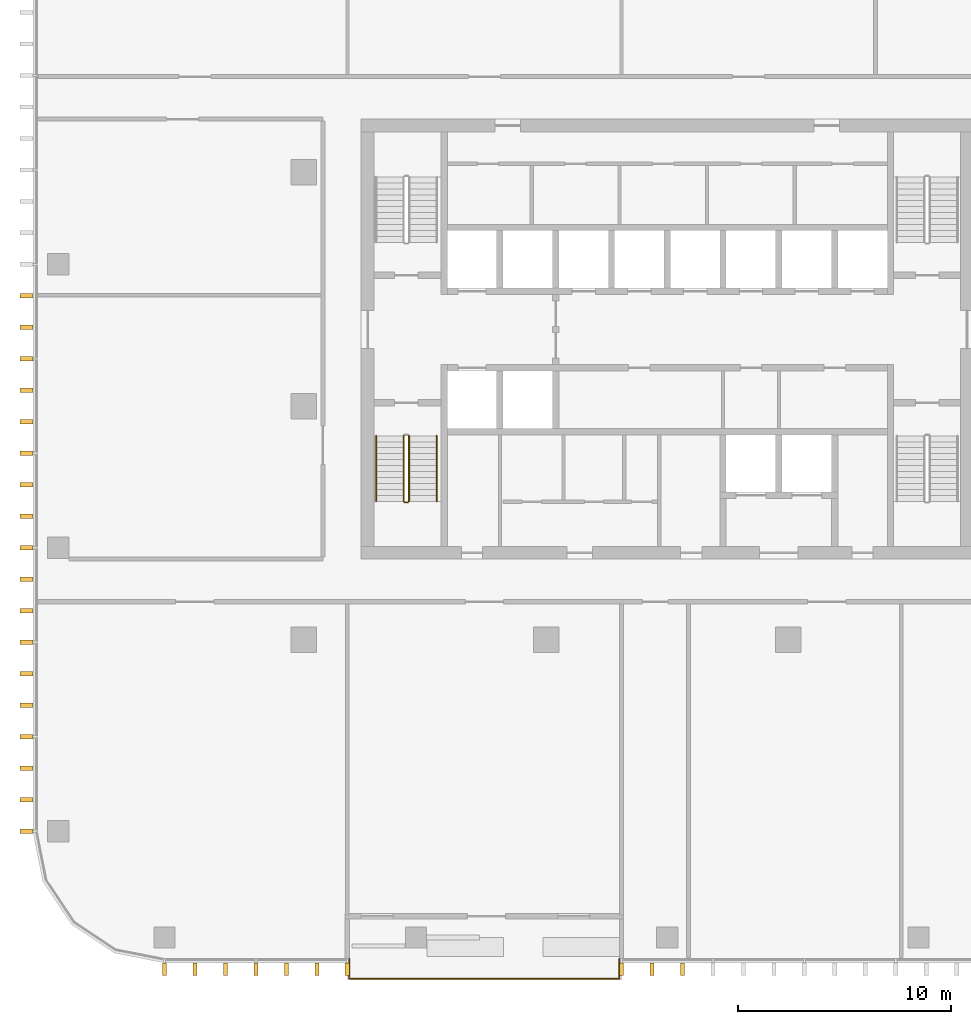
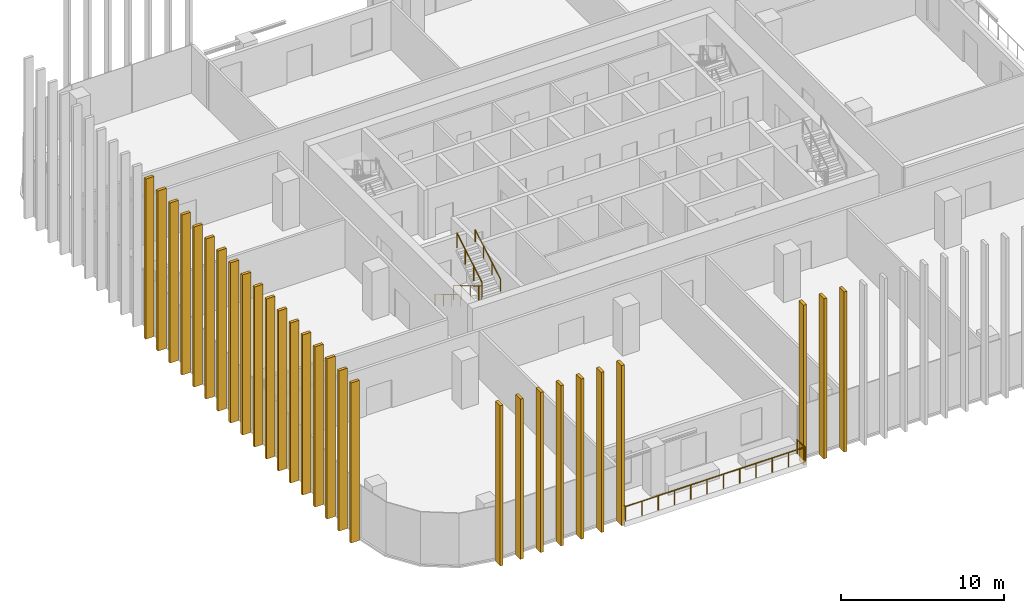
# One storey, part 11 of 16: 28 shading devices, 5 railings.
"""IFC4 building model written with IfcOpenShell, lengths in metres."""

from ifc_helpers import new_model, si_unit, direction, frame, origin, origin_2d, place, context, subcontext, project, spatial, rectangle, circle, extrude, material, type_object, element, save


model = new_model("IFC4")

# Units and contexts
model_context = context("Model", 3, precision=1e-05, world=origin(), true_north=direction((0.0, 1.0)))
body_context = subcontext(model_context, "Body", "Model", "MODEL_VIEW")
ifc_project = project(units=[si_unit("LENGTHUNIT", "METRE"), si_unit("AREAUNIT", "SQUARE_METRE"), si_unit("VOLUMEUNIT", "CUBIC_METRE"), si_unit("PLANEANGLEUNIT", "RADIAN"), si_unit("MASSUNIT", "GRAM", prefix="KILO")], contexts=[model_context])

# Site, building, storey
site_placement = place(None, origin())
site = spatial("IfcSite", under=ifc_project, at=site_placement, CompositionType="ELEMENT")
building_placement = place(site_placement, origin())
building = spatial("IfcBuilding", under=site, at=building_placement, Name="Mopane Tessera Tower", CompositionType="ELEMENT")
storey_placement = place(building_placement, frame((0.0, 0.0, 291.39990234375)))
storey = spatial("IfcBuildingStorey", under=building, at=storey_placement, Name="L63", CompositionType="ELEMENT", Elevation=291.39990234375)

# Shading devices
ifc_material_1 = material(Name="Glazed ceramic tile")
shading_device_type = type_object("IfcShadingDeviceType", Name="Ceramic tile fin 600 x 200 mm", PredefinedType="USERDEFINED", material=ifc_material_1)
for number, where, z_axis, x_axis, name in (
    (1, (-23.64990234375, -26.5, -0.39990234375), (0.0, 0.0, 1.0), (1.0, 0.0, 0.0), "e:fin:L63:S:0:0"),
    (2, (-22.216552734375, -26.5, -0.39990234375), (0.0, 0.0, 1.0), (1.0, 0.0, 0.0), "e:fin:L63:S:0:1"),
    (3, (-20.783447265625, -26.5, -0.39990234375), (0.0, 0.0, 1.0), (1.0, 0.0, 0.0), "e:fin:L63:S:0:2"),
    (4, (-19.35009765625, -26.5, -0.39990234375), (0.0, 0.0, 1.0), (1.0, 0.0, 0.0), "e:fin:L63:S:1:0"),
    (5, (-17.916748046875, -26.5, -0.39990234375), (0.0, 0.0, 1.0), (1.0, 0.0, 0.0), "e:fin:L63:S:1:1"),
    (6, (-16.4833984375, -26.5, -0.39990234375), (0.0, 0.0, 1.0), (1.0, 0.0, 0.0), "e:fin:L63:S:1:2"),
    (7, (-15.050048828125, -26.5, -0.39990234375), (0.0, 0.0, 1.0), (1.0, 0.0, 0.0), "e:fin:L63:S:1:3"),
    (8, (-2.14990234375, -26.5, -0.39990234375), (0.0, 0.0, 1.0), (1.0, 0.0, 0.0), "e:fin:L63:S:5:0"),
    (9, (-0.716552734375, -26.5, -0.39990234375), (0.0, 0.0, 1.0), (1.0, 0.0, 0.0), "e:fin:L63:S:5:1"),
    (10, (0.716552734375, -26.5, -0.39990234375), (0.0, 0.0, 1.0), (1.0, 0.0, 0.0), "e:fin:L63:S:5:2"),
    (11, (-30.14990234375, 5.185302734375, -0.39990234375), (0.0, 0.0, 1.0), (0.0, -1.0, 0.0), "e:fin:L63:W:3:1"),
    (12, (-30.14990234375, 3.70361328125, -0.39990234375), (0.0, 0.0, 1.0), (0.0, -1.0, 0.0), "e:fin:L63:W:3:2"),
    (13, (-30.14990234375, 2.22216796875, -0.39990234375), (0.0, 0.0, 1.0), (0.0, -1.0, 0.0), "e:fin:L63:W:4:0"),
    (14, (-30.14990234375, 0.74072265625, -0.39990234375), (0.0, 0.0, 1.0), (0.0, -1.0, 0.0), "e:fin:L63:W:4:1"),
    (15, (-30.14990234375, -0.74072265625, -0.39990234375), (0.0, 0.0, 1.0), (0.0, -1.0, 0.0), "e:fin:L63:W:4:2"),
    (16, (-30.14990234375, -2.22216796875, -0.39990234375), (0.0, 0.0, 1.0), (0.0, -1.0, 0.0), "e:fin:L63:W:5:0"),
    (17, (-30.14990234375, -3.70361328125, -0.39990234375), (0.0, 0.0, 1.0), (0.0, -1.0, 0.0), "e:fin:L63:W:5:1"),
    (18, (-30.14990234375, -5.185302734375, -0.39990234375), (0.0, 0.0, 1.0), (0.0, -1.0, 0.0), "e:fin:L63:W:5:2"),
    (19, (-30.14990234375, -6.666748046875, -0.39990234375), (0.0, 0.0, 1.0), (0.0, -1.0, 0.0), "e:fin:L63:W:6:0"),
    (20, (-30.14990234375, -8.148193359375, -0.39990234375), (0.0, 0.0, 1.0), (0.0, -1.0, 0.0), "e:fin:L63:W:6:1"),
    (21, (-30.14990234375, -9.629638671875, -0.39990234375), (0.0, 0.0, 1.0), (0.0, -1.0, 0.0), "e:fin:L63:W:6:2"),
    (22, (-30.14990234375, -11.111083984375, -0.39990234375), (0.0, 0.0, 1.0), (0.0, -1.0, 0.0), "e:fin:L63:W:7:0"),
    (23, (-30.14990234375, -12.592529296875, -0.39990234375), (0.0, 0.0, 1.0), (0.0, -1.0, 0.0), "e:fin:L63:W:7:1"),
    (24, (-30.14990234375, -14.073974609375, -0.39990234375), (0.0, 0.0, 1.0), (0.0, -1.0, 0.0), "e:fin:L63:W:7:2"),
    (25, (-30.14990234375, -15.5556640625, -0.39990234375), (0.0, 0.0, 1.0), (0.0, -1.0, 0.0), "e:fin:L63:W:8:0"),
    (26, (-30.14990234375, -17.037109375, -0.39990234375), (0.0, 0.0, 1.0), (0.0, -1.0, 0.0), "e:fin:L63:W:8:1"),
    (27, (-30.14990234375, -18.5185546875, -0.39990234375), (0.0, 0.0, 1.0), (0.0, -1.0, 0.0), "e:fin:L63:W:8:2"),
    (28, (-30.14990234375, -20.0, -0.39990234375), (0.0, 0.0, 1.0), (0.0, -1.0, 0.0), "e:fin:L63:W:8:3"),
):
    element("IfcShadingDevice", number, at=place(storey_placement, frame(where, z_axis=z_axis, x_axis=x_axis)), inside=storey, type_object=shading_device_type, Name=name, ObjectType="FIN", PredefinedType="USERDEFINED", context=body_context, shape_type="SweptSolid", body=[
        extrude(rectangle(XDim=0.199951171875, YDim=0.60009765625, at=origin_2d()), origin(), (0.0, 0.0, 1.0), 12.0),
    ])

# Railings
ifc_material_2 = material(Name="Powder-coated steel balustrade", Category="steel")
railing_type_1 = type_object("IfcRailingType", Name="Escape stair guard 1100 mm", PredefinedType="GUARDRAIL", material=ifc_material_2)
railing_1_placement = place(storey_placement, frame((-12.39990234375, -1.39990234375, 0.166748046875)))
element("IfcRailing", 29, at=railing_1_placement, inside=storey, type_object=railing_type_1, Name="L63 ST1 stair guard 1", PredefinedType="GUARDRAIL", context=body_context, shape_type="SweptSolid", body=[
    extrude(circle(Radius=0.02392578125, at=origin_2d()), frame((0.0, 0.0, 1.076171875), z_axis=(0.0, -0.859308565015, 0.511457515432), x_axis=(1.0, 0.0, 0.0)), (0.0, 0.0, 1.0), 3.58447265625),
    extrude(circle(Radius=0.02392578125, at=origin_2d()), frame((0.0, -3.080078125, 2.9091796875), z_axis=(0.705375805398, -0.708833529934, 0.0), x_axis=(0.708833529934, 0.705375805398, 0.0)), (0.0, 0.0, 1.0), 0.070556640625),
    extrude(circle(Radius=0.02392578125, at=origin_2d()), frame((0.0498046875, -3.130126953125, 2.9091796875), z_axis=(1.0, 0.0, 0.0), x_axis=(0.0, 1.0, 0.0)), (0.0, 0.0, 1.0), 0.150146484375),
    extrude(circle(Radius=0.02099609375, at=origin_2d()), origin(), (0.0, 0.0, 1.0), 1.052001953125),
    extrude(circle(Radius=0.02099609375, at=origin_2d()), frame((0.0, -1.026611328125, 0.611083984375)), (0.0, 0.0, 1.0), 1.052001953125),
    extrude(circle(Radius=0.02099609375, at=origin_2d()), frame((0.0, -2.053466796875, 1.22216796875)), (0.0, 0.0, 1.0), 1.052001953125),
    extrude(circle(Radius=0.02099609375, at=origin_2d()), frame((0.0, -3.080078125, 1.833251953125)), (0.0, 0.0, 1.0), 1.052001953125),
    extrude(circle(Radius=0.02099609375, at=origin_2d()), frame((0.0498046875, -3.130126953125, 1.833251953125)), (0.0, 0.0, 1.0), 1.052001953125),
    extrude(circle(Radius=0.02099609375, at=origin_2d()), frame((0.199951171875, -3.130126953125, 1.833251953125)), (0.0, 0.0, 1.0), 1.052001953125),
])
railing_2_placement = place(storey_placement, frame((-12.14990234375, -4.47998046875, 2.166748046875)))
element("IfcRailing", 30, at=railing_2_placement, inside=storey, type_object=railing_type_1, Name="L63 ST1 stair guard 2", PredefinedType="GUARDRAIL", context=body_context, shape_type="SweptSolid", body=[
    extrude(circle(Radius=0.02392578125, at=origin_2d()), frame((0.0, 0.0, 1.076171875), z_axis=(0.0, 0.859308565015, 0.511457515432), x_axis=(-1.0, 0.0, 0.0)), (0.0, 0.0, 1.0), 3.58447265625),
    extrude(circle(Radius=0.02099609375, at=origin_2d()), origin(), (0.0, 0.0, 1.0), 1.052001953125),
    extrude(circle(Radius=0.02099609375, at=origin_2d()), frame((0.0, 1.026611328125, 0.611083984375)), (0.0, 0.0, 1.0), 1.052001953125),
    extrude(circle(Radius=0.02099609375, at=origin_2d()), frame((0.0, 2.053466796875, 1.22216796875)), (0.0, 0.0, 1.0), 1.052001953125),
    extrude(circle(Radius=0.02099609375, at=origin_2d()), frame((0.0, 3.080078125, 1.833251953125)), (0.0, 0.0, 1.0), 1.052001953125),
])
ifc_material_3 = material(Name="Powder-coated steel balustrade", Category="steel")
railing_type_2 = type_object("IfcRailingType", Name="Escape stair handrail 900 mm", PredefinedType="HANDRAIL", material=ifc_material_3)
railing_3_placement = place(storey_placement, frame((-13.699951171875, -1.39990234375, 0.166748046875)))
element("IfcRailing", 31, at=railing_3_placement, inside=storey, type_object=railing_type_2, Name="L63 ST1 stair handrail 1", PredefinedType="HANDRAIL", context=body_context, shape_type="SweptSolid", body=[
    extrude(circle(Radius=0.02392578125, at=origin_2d()), frame((0.0, 0.0, 0.8759765625), z_axis=(0.0, -0.859308565015, 0.511457515432), x_axis=(1.0, 0.0, 0.0)), (0.0, 0.0, 1.0), 3.58447265625),
    extrude(circle(Radius=0.02099609375, at=origin_2d()), origin(), (0.0, 0.0, 1.0), 0.851806640625),
    extrude(circle(Radius=0.02099609375, at=origin_2d()), frame((0.0, -1.026611328125, 0.611083984375)), (0.0, 0.0, 1.0), 0.851806640625),
    extrude(circle(Radius=0.02099609375, at=origin_2d()), frame((0.0, -2.053466796875, 1.22216796875)), (0.0, 0.0, 1.0), 0.851806640625),
    extrude(circle(Radius=0.02099609375, at=origin_2d()), frame((0.0, -3.080078125, 1.833251953125)), (0.0, 0.0, 1.0), 0.851806640625),
])
railing_4_placement = place(storey_placement, frame((-10.85009765625, -4.47998046875, 2.166748046875)))
element("IfcRailing", 32, at=railing_4_placement, inside=storey, type_object=railing_type_2, Name="L63 ST1 stair handrail 2", PredefinedType="HANDRAIL", context=body_context, shape_type="SweptSolid", body=[
    extrude(circle(Radius=0.02392578125, at=origin_2d()), frame((0.0, 0.0, 0.8759765625), z_axis=(0.0, 0.859308565015, 0.511457515432), x_axis=(-1.0, 0.0, 0.0)), (0.0, 0.0, 1.0), 3.58447265625),
    extrude(circle(Radius=0.02099609375, at=origin_2d()), origin(), (0.0, 0.0, 1.0), 0.851806640625),
    extrude(circle(Radius=0.02099609375, at=origin_2d()), frame((0.0, 1.026611328125, 0.611083984375)), (0.0, 0.0, 1.0), 0.851806640625),
    extrude(circle(Radius=0.02099609375, at=origin_2d()), frame((0.0, 2.053466796875, 1.22216796875)), (0.0, 0.0, 1.0), 0.851806640625),
    extrude(circle(Radius=0.02099609375, at=origin_2d()), frame((0.0, 3.080078125, 1.833251953125)), (0.0, 0.0, 1.0), 0.851806640625),
])
ifc_material_4 = material(Name="Stainless steel S316", Category="steel")
railing_type_3 = type_object("IfcRailingType", Name="Terrace guard 1100", PredefinedType="GUARDRAIL", material=ifc_material_4)
railing_5_placement = place(storey_placement, frame((-14.949951171875, -26.0, 0.0)))
element("IfcRailing", 33, at=railing_5_placement, inside=storey, type_object=railing_type_3, Name="e:nw:L63:N3:guard", PredefinedType="GUARDRAIL", context=body_context, shape_type="SweptSolid", body=[
    extrude(circle(Radius=0.02392578125, at=origin_2d()), frame((0.0, 0.0, 1.076171875), z_axis=(0.0, -1.0, 0.0), x_axis=(1.0, 0.0, 0.0)), (0.0, 0.0, 1.0), 0.949951171875),
    extrude(circle(Radius=0.02392578125, at=origin_2d()), frame((0.0, -0.949951171875, 1.076171875), z_axis=(1.0, 0.0, 0.0), x_axis=(0.0, 1.0, 0.0)), (0.0, 0.0, 1.0), 12.699951171875),
    extrude(circle(Radius=0.02392578125, at=origin_2d()), frame((12.699951171875, -0.949951171875, 1.076171875), z_axis=(0.0, 1.0, 0.0), x_axis=(-1.0, 0.0, 0.0)), (0.0, 0.0, 1.0), 0.949951171875),
    extrude(circle(Radius=0.02099609375, at=origin_2d()), origin(), (0.0, 0.0, 1.0), 1.052001953125),
    extrude(circle(Radius=0.02099609375, at=origin_2d()), frame((0.0, -0.949951171875, 0.0)), (0.0, 0.0, 1.0), 1.052001953125),
    extrude(circle(Radius=0.02099609375, at=origin_2d()), frame((1.154541015625, -0.949951171875, 0.0)), (0.0, 0.0, 1.0), 1.052001953125),
    extrude(circle(Radius=0.02099609375, at=origin_2d()), frame((2.30908203125, -0.949951171875, 0.0)), (0.0, 0.0, 1.0), 1.052001953125),
    extrude(circle(Radius=0.02099609375, at=origin_2d()), frame((3.463623046875, -0.949951171875, 0.0)), (0.0, 0.0, 1.0), 1.052001953125),
    extrude(circle(Radius=0.02099609375, at=origin_2d()), frame((4.6181640625, -0.949951171875, 0.0)), (0.0, 0.0, 1.0), 1.052001953125),
    extrude(circle(Radius=0.02099609375, at=origin_2d()), frame((5.772705078125, -0.949951171875, 0.0)), (0.0, 0.0, 1.0), 1.052001953125),
    extrude(circle(Radius=0.02099609375, at=origin_2d()), frame((6.92724609375, -0.949951171875, 0.0)), (0.0, 0.0, 1.0), 1.052001953125),
    extrude(circle(Radius=0.02099609375, at=origin_2d()), frame((8.081787109375, -0.949951171875, 0.0)), (0.0, 0.0, 1.0), 1.052001953125),
    extrude(circle(Radius=0.02099609375, at=origin_2d()), frame((9.236328125, -0.949951171875, 0.0)), (0.0, 0.0, 1.0), 1.052001953125),
    extrude(circle(Radius=0.02099609375, at=origin_2d()), frame((10.390869140625, -0.949951171875, 0.0)), (0.0, 0.0, 1.0), 1.052001953125),
    extrude(circle(Radius=0.02099609375, at=origin_2d()), frame((11.54541015625, -0.949951171875, 0.0)), (0.0, 0.0, 1.0), 1.052001953125),
    extrude(circle(Radius=0.02099609375, at=origin_2d()), frame((12.699951171875, -0.949951171875, 0.0)), (0.0, 0.0, 1.0), 1.052001953125),
    extrude(circle(Radius=0.02099609375, at=origin_2d()), frame((12.699951171875, 0.0, 0.0)), (0.0, 0.0, 1.0), 1.052001953125),
])

save(model, "model.ifc")
